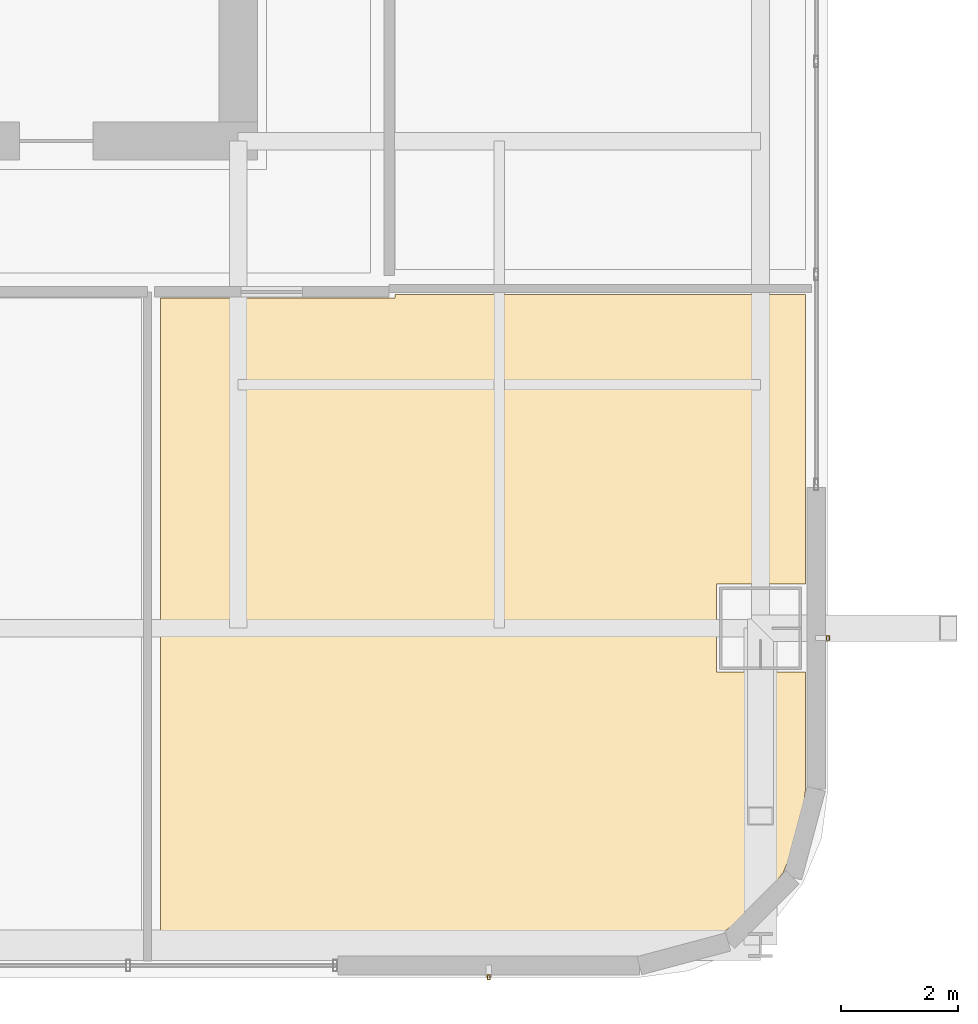
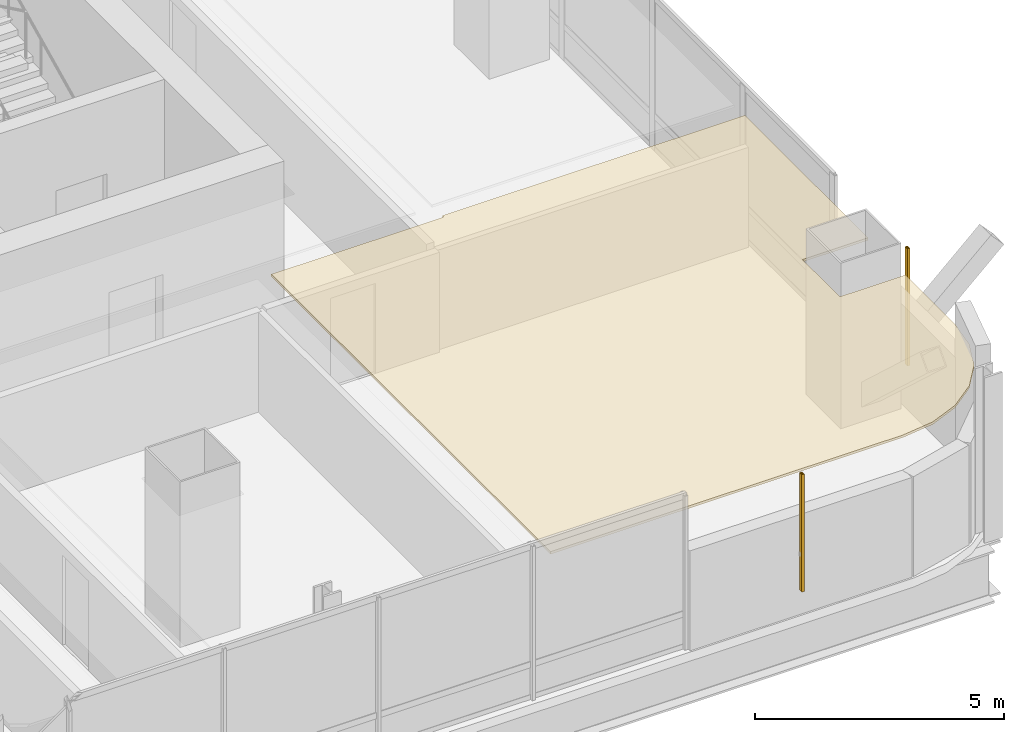
# One storey, part 42 of 46: 2 shading devices, 1 covering.
"""IFC4 building model written with IfcOpenShell, lengths in metres."""

from ifc_helpers import new_model, si_unit, direction, frame, origin, origin_2d, place, context, subcontext, project, spatial, polyline, hollow_rectangle, outline, extrude, material, layer, layer_set, material_profile, profile_set, type_object, element, save


model = new_model("IFC4")

# Units and contexts
model_context = context("Model", 3, precision=1e-05, world=origin(), true_north=direction((0.0, 1.0)))
body_context = subcontext(model_context, "Body", "Model", "MODEL_VIEW")
ifc_project = project(units=[si_unit("LENGTHUNIT", "METRE"), si_unit("AREAUNIT", "SQUARE_METRE"), si_unit("VOLUMEUNIT", "CUBIC_METRE"), si_unit("PLANEANGLEUNIT", "RADIAN"), si_unit("MASSUNIT", "GRAM", prefix="KILO")], contexts=[model_context])

# Site, building, storey
site_placement = place(None, origin())
site = spatial("IfcSite", under=ifc_project, at=site_placement, CompositionType="ELEMENT")
building_placement = place(site_placement, origin())
building = spatial("IfcBuilding", under=site, at=building_placement, Name="Punatoya Terracotta Tower", CompositionType="ELEMENT")
storey_placement = place(building_placement, frame((0.0, 0.0, 200.550048828125)))
storey = spatial("IfcBuildingStorey", under=building, at=storey_placement, Name="L47", CompositionType="ELEMENT", Elevation=200.550048828125)

# Covering
ifc_material_1 = material(Name="Acoustic Mineral Fibre Ceiling")
ifc_layer = layer(ifc_material_1, 0.06005859375)
ifc_layer_set = layer_set([ifc_layer], Name="Acoustic Mineral Fibre Ceiling")
covering_type = type_object("IfcCoveringType", Name="COV-CEIL-60", PredefinedType="CEILING", material=ifc_layer_set)
covering_placement = place(storey_placement, frame((0.0, 0.0, 3.219970703125)))
element("IfcCovering", 1, at=covering_placement, inside=storey, type_object=covering_type, Name="L47 Open-Plan Environmental Research Laboratory Acoustic Ceiling", PredefinedType="CEILING", context=body_context, shape_type="SweptSolid", body=[
    extrude(outline(polyline([(12.8701171875, -11.8701171875), (8.8720703125, -11.8701171875), (8.8720703125, -23.070068359375), (17.025146484375, -23.070068359375), (17.779052734375, -22.970703125), (18.458251953125, -22.689453125), (19.041748046875, -22.24169921875), (19.489501953125, -21.658203125), (19.770751953125, -20.97900390625), (19.8701171875, -20.22509765625), (19.8701171875, -18.25), (18.35009765625, -18.25), (18.35009765625, -16.75), (19.8701171875, -16.75), (19.8701171875, -11.81005859375), (12.8701171875, -11.81005859375), (12.8701171875, -11.8701171875)])), origin(), (0.0, 0.0, 1.0), 0.06005859375),
])

# Shading devices
ifc_material_2 = material(Name="Architectural Fired Terracotta", Category="masonry")
ifc_material_profile = material_profile(ifc_material_2, hollow_rectangle(XDim=0.06005859375, YDim=0.090087890625, WallThickness=0.013916015625, at=origin_2d()))
ifc_profile_set = profile_set([ifc_material_profile], Name="Architectural Fired Terracotta")
shading_device_type = type_object("IfcShadingDeviceType", Name="SHD-JALI-90", PredefinedType="JALOUSIE", material=ifc_profile_set)
for number, where, z_axis, x_axis, name in (
    (2, (14.468505859375, -23.449951171875, 0.599853515625), (0.0, 0.0, 1.0), (1.0, 0.0, 0.0), "L47 Braced Bay Terracotta Jali Fin S2"),
    (3, (20.25, -17.66845703125, 0.599853515625), (0.0, 0.0, 1.0), (1.0, 0.0, 0.0), "L47 Braced Bay Terracotta Jali Fin E1"),
):
    element("IfcShadingDevice", number, at=place(storey_placement, frame(where, z_axis=z_axis, x_axis=x_axis)), inside=storey, type_object=shading_device_type, Name=name, PredefinedType="JALOUSIE", context=body_context, shape_type="SweptSolid", body=[
        extrude(hollow_rectangle(XDim=0.06005859375, YDim=0.090087890625, WallThickness=0.013916015625, at=origin_2d()), origin(), (0.0, 0.0, 1.0), 2.8701171875),
    ])

save(model, "model.ifc")
